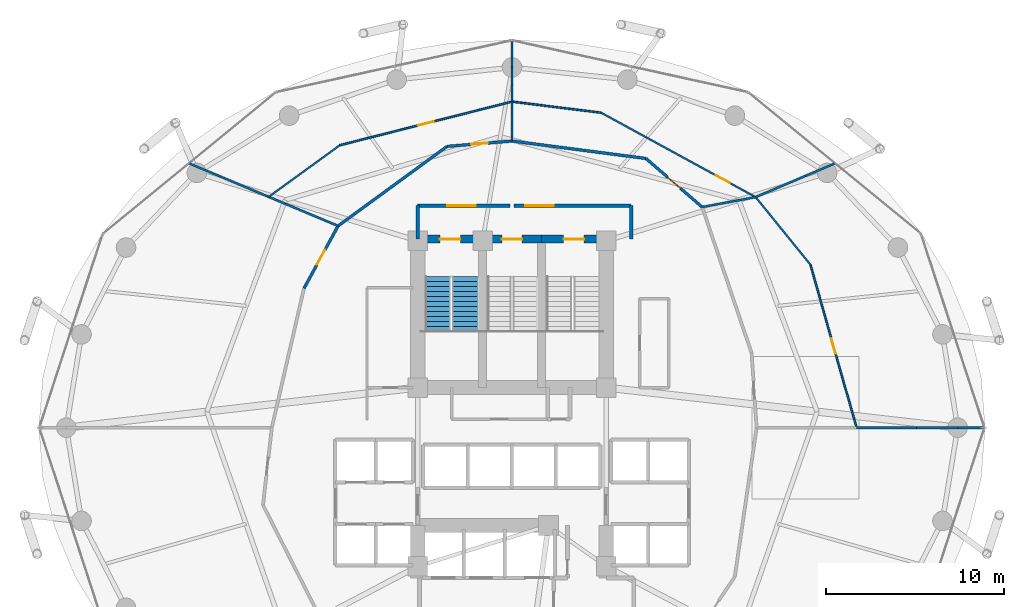
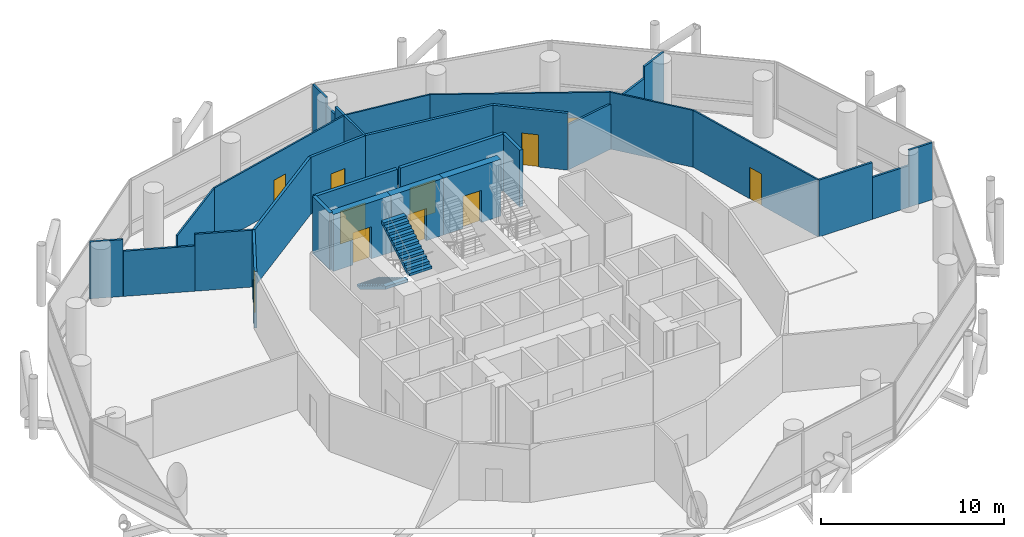
# One storey, part 23 of 26: 31 walls, 11 doors, 2 stair flights, 11 openings, 1 element without a shape of its own.
"""IFC4 building model written with IfcOpenShell, lengths in metres."""

from ifc_helpers import new_model, si_unit, direction, frame, frame_2d, origin, place, context, subcontext, project, spatial, polyline, rectangle, outline, extrude, material, layer, layer_set, type_object, element, fill, aggregate, save


model = new_model("IFC4")

# Units and contexts
model_context = context("Model", 3, precision=1e-05, world=origin(), true_north=direction((0.0, 1.0)))
body_context = subcontext(model_context, "Body", "Model", "MODEL_VIEW")
ifc_project = project(units=[si_unit("LENGTHUNIT", "METRE"), si_unit("AREAUNIT", "SQUARE_METRE"), si_unit("VOLUMEUNIT", "CUBIC_METRE"), si_unit("PLANEANGLEUNIT", "RADIAN"), si_unit("MASSUNIT", "GRAM", prefix="KILO")], contexts=[model_context])

# Site, building, storey
site_placement = place(None, origin())
site = spatial("IfcSite", under=ifc_project, at=site_placement, CompositionType="ELEMENT")
building_placement = place(site_placement, origin())
building = spatial("IfcBuilding", under=site, at=building_placement, Name="Nuhasar Tower", CompositionType="ELEMENT")
storey_placement = place(building_placement, frame((0.0, 0.0, 53.39990234375)))
storey = spatial("IfcBuildingStorey", under=building, at=storey_placement, Name="L12", CompositionType="ELEMENT", Elevation=53.39990234375)

# Wall, opening, door
ifc_material_1 = material(Name="Concrete C50/60", Category="concrete")
ifc_layer_1 = layer(ifc_material_1, 0.449951171875)
ifc_layer_set_1 = layer_set([ifc_layer_1], Name="Concrete C50/60")
wall_type_1 = type_object("IfcWallType", Name="WL-CORE-450", PredefinedType="SHEAR", material=ifc_layer_set_1)
wall_1_placement = place(storey_placement, frame((37.35009765625, 37.39990234375, 0.0), z_axis=(0.0, 0.0, 1.0), x_axis=(-1.0, 0.0, 0.0)))
wall_1 = element("IfcWall", 1, at=wall_1_placement, inside=storey, type_object=wall_type_1, Name="L12 Stairwell Shear Wall ST01-N", PredefinedType="SHEAR", context=body_context, shape_type="SweptSolid", body=[
    extrude(rectangle(XDim=3.650146484375, YDim=0.449951171875, at=frame_2d((1.8251953125, 0.0))), origin(), (0.0, 0.0, 1.0), 3.800048828125),
])
opening_1_placement = place(wall_1_placement, frame((1.25, 0.0, 0.0)))
opening_1 = element("IfcOpeningElement", 2, at=opening_1_placement, cuts=wall_1, Name="Opening DS-01", PredefinedType="OPENING", context=body_context, shape_type="SweptSolid", body=[
    extrude(rectangle(XDim=1.14990234375, YDim=2.14990234375, at=frame_2d((0.574951171875, 1.074951171875))), frame((0.0, 0.23486328125, 0.0), z_axis=(0.0, -1.0, 0.0), x_axis=(1.0, 0.0, 0.0)), (0.0, 0.0, 1.0), 0.469970703125),
])
ifc_material_2 = material(Name="Steel S355", Category="steel")
door_type_1 = type_object("IfcDoorType", Name="DR-STAIR-FD120-1150", OperationType="NOTDEFINED", PredefinedType="DOOR", material=ifc_material_2)
door_1_placement = place(opening_1_placement, origin())
door_1 = element("IfcDoor", 3, at=door_1_placement, inside=storey, type_object=door_type_1, Name="L12 Exit Stair ST-01 Door", OperationType="SINGLE_SWING_RIGHT", OverallHeight=2.14990234375, OverallWidth=1.14990234375, PredefinedType="DOOR", context=body_context, shape_type="SweptSolid", body=[
    extrude(rectangle(XDim=1.14990234375, YDim=2.14990234375, at=frame_2d((0.574951171875, 1.074951171875))), frame((0.0, 0.02490234375, 0.0), z_axis=(0.0, -1.0, 0.0), x_axis=(1.0, 0.0, 0.0)), (0.0, 0.0, 1.0), 0.050048828125),
])
fill(opening_1, door_1)

wall_2_placement = place(storey_placement, frame((40.64990234375, 37.39990234375, 0.0), z_axis=(0.0, 0.0, 1.0), x_axis=(-1.0, 0.0, 0.0)))
wall_2 = element("IfcWall", 4, at=wall_2_placement, inside=storey, type_object=wall_type_1, Name="L12 Stairwell Shear Wall ST03-N", PredefinedType="SHEAR", context=body_context, shape_type="SweptSolid", body=[
    extrude(rectangle(XDim=3.2998046875, YDim=0.449951171875, at=frame_2d((1.64990234375, 0.0))), origin(), (0.0, 0.0, 1.0), 3.800048828125),
])
opening_2_placement = place(wall_2_placement, frame((1.074951171875, 0.0, 0.0)))
opening_2 = element("IfcOpeningElement", 5, at=opening_2_placement, cuts=wall_2, Name="Opening DS-01", PredefinedType="OPENING", context=body_context, shape_type="SweptSolid", body=[
    extrude(rectangle(XDim=1.14990234375, YDim=2.14990234375, at=frame_2d((0.574951171875, 1.074951171875))), frame((0.0, 0.23486328125, 0.0), z_axis=(0.0, -1.0, 0.0), x_axis=(1.0, 0.0, 0.0)), (0.0, 0.0, 1.0), 0.469970703125),
])
door_2_placement = place(opening_2_placement, origin())
door_2 = element("IfcDoor", 6, at=door_2_placement, inside=storey, type_object=door_type_1, Name="L12 Exit Stair ST-03 Door", OperationType="SINGLE_SWING_RIGHT", OverallHeight=2.14990234375, OverallWidth=1.14990234375, PredefinedType="DOOR", context=body_context, shape_type="SweptSolid", body=[
    extrude(rectangle(XDim=1.14990234375, YDim=2.14990234375, at=frame_2d((0.574951171875, 1.074951171875))), frame((0.0, 0.02490234375, 0.0), z_axis=(0.0, -1.0, 0.0), x_axis=(1.0, 0.0, 0.0)), (0.0, 0.0, 1.0), 0.050048828125),
])
fill(opening_2, door_2)

wall_3_placement = place(storey_placement, frame((44.300048828125, 37.39990234375, 0.0), z_axis=(0.0, 0.0, 1.0), x_axis=(-1.0, 0.0, 0.0)))
wall_3 = element("IfcWall", 7, at=wall_3_placement, inside=storey, type_object=wall_type_1, Name="L12 Stairwell Shear Wall ST02-N", PredefinedType="SHEAR", context=body_context, shape_type="SweptSolid", body=[
    extrude(rectangle(XDim=3.650146484375, YDim=0.449951171875, at=frame_2d((1.8251953125, 0.0))), origin(), (0.0, 0.0, 1.0), 3.800048828125),
])
opening_3_placement = place(wall_3_placement, frame((1.25, 0.0, 0.0)))
opening_3 = element("IfcOpeningElement", 8, at=opening_3_placement, cuts=wall_3, Name="Opening DS-01", PredefinedType="OPENING", context=body_context, shape_type="SweptSolid", body=[
    extrude(rectangle(XDim=1.14990234375, YDim=2.14990234375, at=frame_2d((0.574951171875, 1.074951171875))), frame((0.0, 0.23486328125, 0.0), z_axis=(0.0, -1.0, 0.0), x_axis=(1.0, 0.0, 0.0)), (0.0, 0.0, 1.0), 0.469970703125),
])
door_3_placement = place(opening_3_placement, origin())
door_3 = element("IfcDoor", 9, at=door_3_placement, inside=storey, type_object=door_type_1, Name="L12 Exit Stair ST-02 Door", OperationType="SINGLE_SWING_LEFT", OverallHeight=2.14990234375, OverallWidth=1.14990234375, PredefinedType="DOOR", context=body_context, shape_type="SweptSolid", body=[
    extrude(rectangle(XDim=1.14990234375, YDim=2.14990234375, at=frame_2d((0.574951171875, 1.074951171875))), frame((0.0, 0.02490234375, 0.0), z_axis=(0.0, -1.0, 0.0), x_axis=(1.0, 0.0, 0.0)), (0.0, 0.0, 1.0), 0.050048828125),
])
fill(opening_3, door_3)

ifc_material_3 = material(Name="Gypsum Board", Category="gypsum")
ifc_layer_2 = layer(ifc_material_3, 0.159912109375)
ifc_layer_set_2 = layer_set([ifc_layer_2], Name="Gypsum Board")
wall_type_2 = type_object("IfcWallType", Name="WL-CORR-160", PredefinedType="PARTITIONING", material=ifc_layer_set_2)
wall_4_placement = place(storey_placement, frame((46.530029296875, 41.928955078125, 0.0), z_axis=(0.0, 0.0, 1.0), x_axis=(0.756492941082, -0.654001857867, 0.0)))
wall_4 = element("IfcWall", 10, at=wall_4_placement, inside=storey, type_object=wall_type_2, Name="L12 Interior Partition CORR-06", PredefinedType="PARTITIONING", context=body_context, shape_type="SweptSolid", body=[
    extrude(rectangle(XDim=4.17578125, YDim=0.159912109375, at=frame_2d((2.087890625, 0.0))), origin(), (0.0, 0.0, 1.0), 3.800048828125),
])
opening_4_placement = place(wall_4_placement, frame((1.613037109375, 0.0, 0.0)))
opening_4 = element("IfcOpeningElement", 11, at=opening_4_placement, cuts=wall_4, Name="Opening DO-01", PredefinedType="OPENING", context=body_context, shape_type="SweptSolid", body=[
    extrude(rectangle(XDim=0.949951171875, YDim=2.14990234375, at=frame_2d((0.47509765625, 1.074951171875))), frame((0.0, 0.08984375, 0.0), z_axis=(0.0, -1.0, 0.0), x_axis=(1.0, 0.0, 0.0)), (0.0, 0.0, 1.0), 0.179931640625),
])
ifc_material_4 = material(Name="Timber Oak", Category="wood")
door_type_2 = type_object("IfcDoorType", Name="DR-OFFICE-FD30-950", OperationType="NOTDEFINED", PredefinedType="DOOR", material=ifc_material_4)
door_4_placement = place(opening_4_placement, origin())
door_4 = element("IfcDoor", 12, at=door_4_placement, inside=storey, type_object=door_type_2, Name="L12 Legal Chambers B Entry Door", OperationType="SINGLE_SWING_LEFT", OverallHeight=2.14990234375, OverallWidth=0.949951171875, PredefinedType="DOOR", context=body_context, shape_type="SweptSolid", body=[
    extrude(rectangle(XDim=0.949951171875, YDim=2.14990234375, at=frame_2d((0.47509765625, 1.074951171875))), frame((0.0, 0.02490234375, 0.0), z_axis=(0.0, -1.0, 0.0), x_axis=(1.0, 0.0, 0.0)), (0.0, 0.0, 1.0), 0.050048828125),
])
fill(opening_4, door_4)

# Wall
wall_5_placement = place(storey_placement, frame((46.530029296875, 41.928955078125, 0.0), z_axis=(0.0, 0.0, 1.0), x_axis=(-0.99162101561, 0.129181118592, 0.0)))
element("IfcWall", 13, at=wall_5_placement, inside=storey, type_object=wall_type_2, Name="L12 Interior Partition CORR-08", PredefinedType="PARTITIONING", context=body_context, shape_type="SweptSolid", body=[
    extrude(rectangle(XDim=7.59375, YDim=0.159912109375, at=frame_2d((3.796875, 0.0))), origin(), (0.0, 0.0, 1.0), 3.800048828125),
])

# Wall, opening, door
wall_6_placement = place(storey_placement, frame((35.347900390625, 42.60791015625, 0.0), z_axis=(0.0, 0.0, 1.0), x_axis=(0.996598394666, 0.082411405455, 0.0)))
wall_6 = element("IfcWall", 14, at=wall_6_placement, inside=storey, type_object=wall_type_2, Name="L12 Interior Partition CORR-12", PredefinedType="PARTITIONING", context=body_context, shape_type="SweptSolid", body=[
    extrude(rectangle(XDim=3.66455078125, YDim=0.159912109375, at=frame_2d((1.832275390625, 0.0))), origin(), (0.0, 0.0, 1.0), 3.800048828125),
])
opening_5_placement = place(wall_6_placement, frame((1.35693359375, 0.0, 0.0)))
opening_5 = element("IfcOpeningElement", 15, at=opening_5_placement, cuts=wall_6, Name="Opening DO-01", PredefinedType="OPENING", context=body_context, shape_type="SweptSolid", body=[
    extrude(rectangle(XDim=0.949951171875, YDim=2.14990234375, at=frame_2d((0.47509765625, 1.074951171875))), frame((0.0, 0.08984375, 0.0), z_axis=(0.0, -1.0, 0.0), x_axis=(1.0, 0.0, 0.0)), (0.0, 0.0, 1.0), 0.179931640625),
])
door_5_placement = place(opening_5_placement, origin())
door_5 = element("IfcDoor", 16, at=door_5_placement, inside=storey, type_object=door_type_2, Name="L12 Arbitration Hearing Room Entry Door", OperationType="SINGLE_SWING_LEFT", OverallHeight=2.14990234375, OverallWidth=0.949951171875, PredefinedType="DOOR", context=body_context, shape_type="SweptSolid", body=[
    extrude(rectangle(XDim=0.949951171875, YDim=2.14990234375, at=frame_2d((0.47509765625, 1.074951171875))), frame((0.0, 0.02490234375, 0.0), z_axis=(0.0, -1.0, 0.0), x_axis=(1.0, 0.0, 0.0)), (0.0, 0.0, 1.0), 0.050048828125),
])
fill(opening_5, door_5)

# Wall
wall_7_placement = place(storey_placement, frame((35.347900390625, 42.60791015625, 0.0), z_axis=(0.0, 0.0, 1.0), x_axis=(-0.807666592587, -0.589639445101, 0.0)))
element("IfcWall", 17, at=wall_7_placement, inside=storey, type_object=wall_type_2, Name="L12 Interior Partition CORR-14", PredefinedType="PARTITIONING", context=body_context, shape_type="SweptSolid", body=[
    extrude(rectangle(XDim=7.580810546875, YDim=0.159912109375, at=frame_2d((3.79052734375, 0.0))), origin(), (0.0, 0.0, 1.0), 3.800048828125),
])

# Wall, opening, door
wall_8_placement = place(storey_placement, frame((27.30908203125, 34.6298828125, 0.0), z_axis=(0.0, 0.0, 1.0), x_axis=(0.479339902436, 0.877629339717, 0.0)))
wall_8 = element("IfcWall", 18, at=wall_8_placement, inside=storey, type_object=wall_type_2, Name="L12 Interior Partition CORR-18", PredefinedType="PARTITIONING", context=body_context, shape_type="SweptSolid", body=[
    extrude(rectangle(XDim=3.997314453125, YDim=0.159912109375, at=frame_2d((1.99853515625, 0.0))), origin(), (0.0, 0.0, 1.0), 3.800048828125),
])
opening_6_placement = place(wall_8_placement, frame((1.52392578125, 0.0, 0.0)))
opening_6 = element("IfcOpeningElement", 19, at=opening_6_placement, cuts=wall_8, Name="Opening DO-01", PredefinedType="OPENING", context=body_context, shape_type="SweptSolid", body=[
    extrude(rectangle(XDim=0.949951171875, YDim=2.14990234375, at=frame_2d((0.47509765625, 1.074951171875))), frame((0.0, 0.08984375, 0.0), z_axis=(0.0, -1.0, 0.0), x_axis=(1.0, 0.0, 0.0)), (0.0, 0.0, 1.0), 0.179931640625),
])
door_6_placement = place(opening_6_placement, origin())
door_6 = element("IfcDoor", 20, at=door_6_placement, inside=storey, type_object=door_type_2, Name="L12 Chambers Tea Pantry Entry Door", OperationType="SINGLE_SWING_LEFT", OverallHeight=2.14990234375, OverallWidth=0.949951171875, PredefinedType="DOOR", context=body_context, shape_type="SweptSolid", body=[
    extrude(rectangle(XDim=0.949951171875, YDim=2.14990234375, at=frame_2d((0.47509765625, 1.074951171875))), frame((0.0, 0.02490234375, 0.0), z_axis=(0.0, -1.0, 0.0), x_axis=(1.0, 0.0, 0.0)), (0.0, 0.0, 1.0), 0.050048828125),
])
fill(opening_6, door_6)

# Walls
ifc_material_5 = material(Name="Concrete C45/55", Category="concrete")
ifc_layer_3 = layer(ifc_material_5, 0.199951171875)
ifc_layer_set_3 = layer_set([ifc_layer_3], Name="Concrete C45/55")
wall_type_3 = type_object("IfcWallType", Name="WL-LOBBY-200", PredefinedType="SOLIDWALL", material=ifc_layer_set_3)
for number, where, z_axis, x_axis, name in (
    (21, (33.699951171875, 37.39990234375, 0.0), (0.0, 0.0, 1.0), (0.0, 1.0, 0.0), "L12 Interior Partition NSL-W"),
    (22, (45.699951171875, 37.39990234375, 0.0), (0.0, 0.0, 1.0), (0.0, 1.0, 0.0), "L12 Interior Partition NSL-E"),
):
    element("IfcWall", number, at=place(storey_placement, frame(where, z_axis=z_axis, x_axis=x_axis)), inside=storey, type_object=wall_type_3, Name=name, PredefinedType="SOLIDWALL", context=body_context, shape_type="SweptSolid", body=[
        extrude(rectangle(XDim=1.880126953125, YDim=0.199951171875, at=frame_2d((0.93994140625, 0.0))), origin(), (0.0, 0.0, 1.0), 3.800048828125),
    ])

# Wall, opening, door
wall_9_placement = place(storey_placement, frame((38.89990234375, 39.280029296875, 0.0), z_axis=(0.0, 0.0, 1.0), x_axis=(-1.0, 0.0, 0.0)))
wall_9 = element("IfcWall", 23, at=wall_9_placement, inside=storey, type_object=wall_type_3, Name="L12 Interior Partition NSL-N1", PredefinedType="SOLIDWALL", context=body_context, shape_type="SweptSolid", body=[
    extrude(rectangle(XDim=5.199951171875, YDim=0.199951171875, at=frame_2d((2.60009765625, 0.0))), origin(), (0.0, 0.0, 1.0), 3.800048828125),
])
opening_7_placement = place(wall_9_placement, frame((1.949951171875, 0.0, 0.0)))
opening_7 = element("IfcOpeningElement", 24, at=opening_7_placement, cuts=wall_9, Name="Opening DC-01", PredefinedType="OPENING", context=body_context, shape_type="SweptSolid", body=[
    extrude(rectangle(XDim=1.60009765625, YDim=2.199951171875, at=frame_2d((0.800048828125, 1.10009765625))), frame((0.0, 0.10986328125, 0.0), z_axis=(0.0, -1.0, 0.0), x_axis=(1.0, 0.0, 0.0)), (0.0, 0.0, 1.0), 0.219970703125),
])
door_type_3 = type_object("IfcDoorType", Name="DR-CORR-FD60-1600", OperationType="DOUBLE_DOOR_SINGLE_SWING", PredefinedType="DOOR", material=ifc_material_2)
door_7_placement = place(opening_7_placement, origin())
door_7 = element("IfcDoor", 25, at=door_7_placement, inside=storey, type_object=door_type_3, Name="L12 North Stair Lobby West Door", OperationType="DOUBLE_DOOR_SINGLE_SWING", OverallHeight=2.199951171875, OverallWidth=1.60009765625, PredefinedType="DOOR", context=body_context, shape_type="SweptSolid", body=[
    extrude(rectangle(XDim=1.60009765625, YDim=2.199951171875, at=frame_2d((0.800048828125, 1.10009765625))), frame((0.0, 0.02490234375, 0.0), z_axis=(0.0, -1.0, 0.0), x_axis=(1.0, 0.0, 0.0)), (0.0, 0.0, 1.0), 0.050048828125),
])
fill(opening_7, door_7)

wall_10_placement = place(storey_placement, frame((45.699951171875, 39.280029296875, 0.0), z_axis=(0.0, 0.0, 1.0), x_axis=(-1.0, 0.0, 0.0)))
wall_10 = element("IfcWall", 26, at=wall_10_placement, inside=storey, type_object=wall_type_3, Name="L12 Interior Partition NSL-N2", PredefinedType="SOLIDWALL", context=body_context, shape_type="SweptSolid", body=[
    extrude(rectangle(XDim=6.599853515625, YDim=0.199951171875, at=frame_2d((3.2998046875, 0.0))), origin(), (0.0, 0.0, 1.0), 3.800048828125),
])
opening_8_placement = place(wall_10_placement, frame((4.35009765625, 0.0, 0.0)))
opening_8 = element("IfcOpeningElement", 27, at=opening_8_placement, cuts=wall_10, Name="Opening DC-01", PredefinedType="OPENING", context=body_context, shape_type="SweptSolid", body=[
    extrude(rectangle(XDim=1.60009765625, YDim=2.199951171875, at=frame_2d((0.800048828125, 1.10009765625))), frame((0.0, 0.10986328125, 0.0), z_axis=(0.0, -1.0, 0.0), x_axis=(1.0, 0.0, 0.0)), (0.0, 0.0, 1.0), 0.219970703125),
])
door_8_placement = place(opening_8_placement, origin())
door_8 = element("IfcDoor", 28, at=door_8_placement, inside=storey, type_object=door_type_3, Name="L12 North Stair Lobby East Door", OperationType="DOUBLE_DOOR_SINGLE_SWING", OverallHeight=2.199951171875, OverallWidth=1.60009765625, PredefinedType="DOOR", context=body_context, shape_type="SweptSolid", body=[
    extrude(rectangle(XDim=1.60009765625, YDim=2.199951171875, at=frame_2d((0.800048828125, 1.10009765625))), frame((0.0, 0.02490234375, 0.0), z_axis=(0.0, -1.0, 0.0), x_axis=(1.0, 0.0, 0.0)), (0.0, 0.0, 1.0), 0.050048828125),
])
fill(opening_8, door_8)

ifc_material_6 = material(Name="Aluminium 6063-T6", Category="aluminium")
ifc_layer_4 = layer(ifc_material_6, 0.10009765625)
ifc_layer_set_4 = layer_set([ifc_layer_4], Name="Aluminium 6063-T6")
wall_type_4 = type_object("IfcWallType", Name="WL-MOVABLE-100", PredefinedType="MOVABLE", material=ifc_layer_set_4)
wall_11_placement = place(storey_placement, frame((55.77197265625, 35.9619140625, 0.0), z_axis=(0.0, 0.0, 1.0), x_axis=(0.272515943622, -0.962151266939, 0.0)))
wall_11 = element("IfcWall", 29, at=wall_11_placement, inside=storey, type_object=wall_type_4, Name="L12 Interior Partition OMID-01-00", PredefinedType="MOVABLE", context=body_context, shape_type="SweptSolid", body=[
    extrude(rectangle(XDim=9.522216796875, YDim=0.10009765625, at=frame_2d((4.76123046875, 0.0))), origin(), (0.0, 0.0, 1.0), 3.800048828125),
])
opening_9_placement = place(wall_11_placement, frame((4.31103515625, 0.0, 0.0)))
opening_9 = element("IfcOpeningElement", 30, at=opening_9_placement, cuts=wall_11, Name="Opening DR-01", PredefinedType="OPENING", context=body_context, shape_type="SweptSolid", body=[
    extrude(rectangle(XDim=0.89990234375, YDim=2.10009765625, at=frame_2d((0.449951171875, 1.050048828125))), frame((0.0, 0.06005859375, 0.0), z_axis=(0.0, -1.0, 0.0), x_axis=(1.0, 0.0, 0.0)), (0.0, 0.0, 1.0), 0.1201171875),
])
door_type_4 = type_object("IfcDoorType", Name="DR-ROOM-900", OperationType="NOTDEFINED", PredefinedType="DOOR", material=ifc_material_4)
door_9_placement = place(opening_9_placement, origin())
door_9 = element("IfcDoor", 31, at=door_9_placement, inside=storey, type_object=door_type_4, Name="L12 Legal Chambers A Inner Door", OperationType="SINGLE_SWING_LEFT", OverallHeight=2.10009765625, OverallWidth=0.89990234375, PredefinedType="DOOR", context=body_context, shape_type="SweptSolid", body=[
    extrude(rectangle(XDim=0.89990234375, YDim=2.10009765625, at=frame_2d((0.449951171875, 1.050048828125))), frame((0.0, 0.02490234375, 0.0), z_axis=(0.0, -1.0, 0.0), x_axis=(1.0, 0.0, 0.0)), (0.0, 0.0, 1.0), 0.050048828125),
])
fill(opening_9, door_9)

# Wall
wall_12_placement = place(storey_placement, frame((55.77197265625, 35.9619140625, 0.0), z_axis=(0.0, 0.0, 1.0), x_axis=(-0.629672409309, 0.776860770637, 0.0)))
element("IfcWall", 32, at=wall_12_placement, inside=storey, type_object=wall_type_4, Name="L12 Interior Partition OMID-01-04", PredefinedType="MOVABLE", context=body_context, shape_type="SweptSolid", body=[
    extrude(rectangle(XDim=4.886474609375, YDim=0.10009765625, at=frame_2d((2.443359375, 0.0))), origin(), (0.0, 0.0, 1.0), 3.800048828125),
])

# Wall, opening, door
wall_13_placement = place(storey_placement, frame((44.012939453125, 44.5009765625, 0.0), z_axis=(0.0, 0.0, 1.0), x_axis=(0.877588886427, -0.479413961437, 0.0)))
wall_13 = element("IfcWall", 33, at=wall_13_placement, inside=storey, type_object=wall_type_4, Name="L12 Interior Partition OMID-02-06", PredefinedType="MOVABLE", context=body_context, shape_type="SweptSolid", body=[
    extrude(rectangle(XDim=9.89306640625, YDim=0.10009765625, at=frame_2d((4.946533203125, 0.0))), origin(), (0.0, 0.0, 1.0), 3.800048828125),
])
opening_10_placement = place(wall_13_placement, frame((7.3359375, 0.0, 0.0)))
opening_10 = element("IfcOpeningElement", 34, at=opening_10_placement, cuts=wall_13, Name="Opening DR-01", PredefinedType="OPENING", context=body_context, shape_type="SweptSolid", body=[
    extrude(rectangle(XDim=0.89990234375, YDim=2.10009765625, at=frame_2d((0.449951171875, 1.050048828125))), frame((0.0, 0.06005859375, 0.0), z_axis=(0.0, -1.0, 0.0), x_axis=(1.0, 0.0, 0.0)), (0.0, 0.0, 1.0), 0.1201171875),
])
door_10_placement = place(opening_10_placement, origin())
door_10 = element("IfcDoor", 35, at=door_10_placement, inside=storey, type_object=door_type_4, Name="L12 Legal Chambers B Inner Door", OperationType="SINGLE_SWING_RIGHT", OverallHeight=2.10009765625, OverallWidth=0.89990234375, PredefinedType="DOOR", context=body_context, shape_type="SweptSolid", body=[
    extrude(rectangle(XDim=0.89990234375, YDim=2.10009765625, at=frame_2d((0.449951171875, 1.050048828125))), frame((0.0, 0.02490234375, 0.0), z_axis=(0.0, -1.0, 0.0), x_axis=(1.0, 0.0, 0.0)), (0.0, 0.0, 1.0), 0.050048828125),
])
fill(opening_10, door_10)

# Wall
wall_14_placement = place(storey_placement, frame((44.012939453125, 44.5009765625, 0.0), z_axis=(0.0, 0.0, 1.0), x_axis=(-0.992340947468, 0.123529121985, 0.0)))
element("IfcWall", 36, at=wall_14_placement, inside=storey, type_object=wall_type_4, Name="L12 Interior Partition OMID-02-10", PredefinedType="MOVABLE", context=body_context, shape_type="SweptSolid", body=[
    extrude(rectangle(XDim=5.051513671875, YDim=0.10009765625, at=frame_2d((2.52587890625, 0.0))), origin(), (0.0, 0.0, 1.0), 3.800048828125),
])

# Wall, opening, door
wall_15_placement = place(storey_placement, frame((29.31689453125, 42.669921875, 0.0), z_axis=(0.0, 0.0, 1.0), x_axis=(0.969329167934, 0.245766076162, 0.0)))
wall_15 = element("IfcWall", 37, at=wall_15_placement, inside=storey, type_object=wall_type_4, Name="L12 Interior Partition OMID-03-12", PredefinedType="MOVABLE", context=body_context, shape_type="SweptSolid", body=[
    extrude(rectangle(XDim=9.989501953125, YDim=0.10009765625, at=frame_2d((4.99462890625, 0.0))), origin(), (0.0, 0.0, 1.0), 3.800048828125),
])
opening_11_placement = place(wall_15_placement, frame((4.544921875, 0.0, 0.0)))
opening_11 = element("IfcOpeningElement", 38, at=opening_11_placement, cuts=wall_15, Name="Opening DR-01", PredefinedType="OPENING", context=body_context, shape_type="SweptSolid", body=[
    extrude(rectangle(XDim=0.89990234375, YDim=2.10009765625, at=frame_2d((0.449951171875, 1.050048828125))), frame((0.0, 0.06005859375, 0.0), z_axis=(0.0, -1.0, 0.0), x_axis=(1.0, 0.0, 0.0)), (0.0, 0.0, 1.0), 0.1201171875),
])
door_11_placement = place(opening_11_placement, origin())
door_11 = element("IfcDoor", 39, at=door_11_placement, inside=storey, type_object=door_type_4, Name="L12 Arbitration Hearing Room Inner Door", OperationType="SINGLE_SWING_LEFT", OverallHeight=2.10009765625, OverallWidth=0.89990234375, PredefinedType="DOOR", context=body_context, shape_type="SweptSolid", body=[
    extrude(rectangle(XDim=0.89990234375, YDim=2.10009765625, at=frame_2d((0.449951171875, 1.050048828125))), frame((0.0, 0.02490234375, 0.0), z_axis=(0.0, -1.0, 0.0), x_axis=(1.0, 0.0, 0.0)), (0.0, 0.0, 1.0), 0.050048828125),
])
fill(opening_11, door_11)

# Walls
wall_16_placement = place(storey_placement, frame((29.31689453125, 42.669921875, 0.0), z_axis=(0.0, 0.0, 1.0), x_axis=(-0.809304329507, -0.587389565997, 0.0)))
element("IfcWall", 40, at=wall_16_placement, inside=storey, type_object=wall_type_4, Name="L12 Interior Partition OMID-03-16", PredefinedType="MOVABLE", context=body_context, shape_type="SweptSolid", body=[
    extrude(rectangle(XDim=4.957275390625, YDim=0.10009765625, at=frame_2d((2.478515625, 0.0))), origin(), (0.0, 0.0, 1.0), 3.800048828125),
])
ifc_layer_5 = layer(ifc_material_3, 0.125)
ifc_layer_set_5 = layer_set([ifc_layer_5], Name="Gypsum Board")
wall_type_5 = type_object("IfcWallType", Name="WL-PART-125", PredefinedType="PARTITIONING", material=ifc_layer_set_5)
wall_17_placement = place(storey_placement, frame((58.366943359375, 26.800048828125, 0.0), z_axis=(0.0, 0.0, 1.0), x_axis=(1.0, 0.0, 0.0)))
element("IfcWall", 41, at=wall_17_placement, inside=storey, type_object=wall_type_5, Name="L12 Interior Partition ORAD-00-S2", PredefinedType="PARTITIONING", context=body_context, shape_type="SweptSolid", body=[
    extrude(rectangle(XDim=3.363037109375, YDim=0.125, at=frame_2d((1.681640625, 0.0))), origin(), (0.0, 0.0, 1.0), 3.800048828125),
])
wall_18_placement = place(storey_placement, frame((61.72998046875, 26.800048828125, 0.0), z_axis=(0.0, 0.0, 1.0), x_axis=(1.0, 0.0, 0.0)))
element("IfcWall", 42, at=wall_18_placement, inside=storey, type_object=wall_type_5, Name="L12 Interior Partition ORAD-00-S2", PredefinedType="PARTITIONING", context=body_context, shape_type="SweptSolid", body=[
    extrude(rectangle(XDim=2.326904296875, YDim=0.125, at=frame_2d((1.16357421875, 0.0))), origin(), (0.0, 0.0, 1.0), 2.7900390625),
])
wall_19_placement = place(storey_placement, frame((64.056884765625, 26.800048828125, 0.0), z_axis=(0.0, 0.0, 1.0), x_axis=(1.0, 0.0, 0.0)))
element("IfcWall", 43, at=wall_19_placement, inside=storey, type_object=wall_type_5, Name="L12 Interior Partition ORAD-00-S2", PredefinedType="PARTITIONING", context=body_context, shape_type="SweptSolid", body=[
    extrude(rectangle(XDim=1.468017578125, YDim=0.125, at=frame_2d((0.73388671875, 0.0))), origin(), (0.0, 0.0, 1.0), 3.800048828125),
])
wall_20_placement = place(storey_placement, frame((49.68896484375, 39.197998046875, 0.0), z_axis=(0.0, 0.0, 1.0), x_axis=(0.983083941647, 0.183155572333, 0.0)))
element("IfcWall", 44, at=wall_20_placement, inside=storey, type_object=wall_type_5, Name="L12 Interior Partition ORAD-06-S1", PredefinedType="PARTITIONING", context=body_context, shape_type="SweptSolid", body=[
    extrude(rectangle(XDim=3.057861328125, YDim=0.125, at=frame_2d((1.52880859375, 0.0))), origin(), (0.0, 0.0, 1.0), 3.02001953125),
])
wall_21_placement = place(storey_placement, frame((52.695068359375, 39.758056640625, 0.0), z_axis=(0.0, 0.0, 1.0), x_axis=(0.92022473881, 0.391390380671, 0.0)))
element("IfcWall", 45, at=wall_21_placement, inside=storey, type_object=wall_type_5, Name="L12 Interior Partition ORAD-06-S2", PredefinedType="PARTITIONING", context=body_context, shape_type="SweptSolid", body=[
    extrude(rectangle(XDim=3.042724609375, YDim=0.125, at=frame_2d((1.521484375, 0.0))), origin(), (0.0, 0.0, 1.0), 3.02001953125),
])
wall_22_placement = place(storey_placement, frame((55.4951171875, 40.948974609375, 0.0), z_axis=(0.0, 0.0, 1.0), x_axis=(0.920394497478, 0.390991008864, 0.0)))
element("IfcWall", 46, at=wall_22_placement, inside=storey, type_object=wall_type_5, Name="L12 Interior Partition ORAD-06-S2", PredefinedType="PARTITIONING", context=body_context, shape_type="SweptSolid", body=[
    extrude(rectangle(XDim=1.76220703125, YDim=0.125, at=frame_2d((0.881103515625, 0.0))), origin(), (0.0, 0.0, 1.0), 3.800048828125),
])
wall_23_placement = place(storey_placement, frame((39.0, 42.909912109375, 0.0), z_axis=(0.0, 0.0, 1.0), x_axis=(0.0, 1.0, 0.0)))
element("IfcWall", 47, at=wall_23_placement, inside=storey, type_object=wall_type_5, Name="L12 Interior Partition ORAD-12-S1", PredefinedType="PARTITIONING", context=body_context, shape_type="SweptSolid", body=[
    extrude(rectangle(XDim=2.215087890625, YDim=0.125, at=frame_2d((1.107421875, 0.0))), origin(), (0.0, 0.0, 1.0), 3.800048828125),
])
wall_24_placement = place(storey_placement, frame((39.0, 45.125, 0.0), z_axis=(0.0, 0.0, 1.0), x_axis=(0.0, 1.0, 0.0)))
element("IfcWall", 48, at=wall_24_placement, inside=storey, type_object=wall_type_5, Name="L12 Interior Partition ORAD-12-S2", PredefinedType="PARTITIONING", context=body_context, shape_type="SweptSolid", body=[
    extrude(rectangle(XDim=0.928955078125, YDim=0.125, at=frame_2d((0.46435546875, 0.0))), origin(), (0.0, 0.0, 1.0), 3.800048828125),
])
wall_25_placement = place(storey_placement, frame((39.0, 46.053955078125, 0.0), z_axis=(0.0, 0.0, 1.0), x_axis=(0.0, 1.0, 0.0)))
element("IfcWall", 49, at=wall_25_placement, inside=storey, type_object=wall_type_5, Name="L12 Interior Partition ORAD-12-S2", PredefinedType="PARTITIONING", context=body_context, shape_type="SweptSolid", body=[
    extrude(rectangle(XDim=1.007080078125, YDim=0.125, at=frame_2d((0.50341796875, 0.0))), origin(), (0.0, 0.0, 1.0), 3.26513671875),
])
wall_26_placement = place(storey_placement, frame((39.0, 47.06103515625, 0.0), z_axis=(0.0, 0.0, 1.0), x_axis=(0.0, 1.0, 0.0)))
element("IfcWall", 50, at=wall_26_placement, inside=storey, type_object=wall_type_5, Name="L12 Interior Partition ORAD-12-S2", PredefinedType="PARTITIONING", context=body_context, shape_type="SweptSolid", body=[
    extrude(rectangle(XDim=1.4638671875, YDim=0.125, at=frame_2d((0.73193359375, 0.0))), origin(), (0.0, 0.0, 1.0), 3.800048828125),
])
wall_27_placement = place(storey_placement, frame((29.22509765625, 38.137939453125, 0.0), z_axis=(0.0, 0.0, 1.0), x_axis=(-0.92216319385, 0.386801039177, 0.0)))
element("IfcWall", 51, at=wall_27_placement, inside=storey, type_object=wall_type_5, Name="L12 Interior Partition ORAD-18", PredefinedType="PARTITIONING", context=body_context, shape_type="SweptSolid", body=[
    extrude(rectangle(XDim=3.242431640625, YDim=0.125, at=frame_2d((1.62109375, 0.0))), origin(), (0.0, 0.0, 1.0), 3.800048828125),
])
wall_28_placement = place(storey_placement, frame((26.235107421875, 39.39208984375, 0.0), z_axis=(0.0, 0.0, 1.0), x_axis=(-0.922079399294, 0.387000751159, 0.0)))
element("IfcWall", 52, at=wall_28_placement, inside=storey, type_object=wall_type_5, Name="L12 Interior Partition ORAD-18", PredefinedType="PARTITIONING", context=body_context, shape_type="SweptSolid", body=[
    extrude(rectangle(XDim=3.95849609375, YDim=0.125, at=frame_2d((1.979248046875, 0.0))), origin(), (0.0, 0.0, 1.0), 3.02001953125),
])
wall_29_placement = place(storey_placement, frame((22.5849609375, 40.924072265625, 0.0), z_axis=(0.0, 0.0, 1.0), x_axis=(-0.922162419432, 0.386802885443, 0.0)))
element("IfcWall", 53, at=wall_29_placement, inside=storey, type_object=wall_type_5, Name="L12 Interior Partition ORAD-18", PredefinedType="PARTITIONING", context=body_context, shape_type="SweptSolid", body=[
    extrude(rectangle(XDim=1.845458984375, YDim=0.125, at=frame_2d((0.9228515625, 0.0))), origin(), (0.0, 0.0, 1.0), 3.800048828125),
])

# Stair, stair flights
stair_type = type_object("IfcStairType", Name="STR-ST-01-2F-24R-1688", PredefinedType="HALF_TURN_STAIR", material=ifc_material_5)
stair_placement = place(storey_placement, origin())
stair = element("IfcStair", 54, at=stair_placement, inside=storey, type_object=stair_type, Name="L12 Exit Stair ST-01", PredefinedType="HALF_TURN_STAIR")
stair_flight_type = type_object("IfcStairFlightType", Name="SFL-ST-01-12R-1688", PredefinedType="STRAIGHT", material=ifc_material_5)
stair_flight_1_placement = place(storey_placement, frame((34.830078125, 35.284912109375, 0.0), z_axis=(0.0, 0.0, 1.0), x_axis=(0.0, -1.0, 0.0)))
stair_flight_1 = element("IfcStairFlight", 55, at=stair_flight_1_placement, type_object=stair_flight_type, Name="ST-01 flight 1", NumberOfRisers=12, NumberOfTreads=11, PredefinedType="STRAIGHT", RiserHeight=0.16875, TreadLength=0.28, context=body_context, shape_type="SweptSolid", body=[
    extrude(outline(polyline([(0.0, 0.0), (0.0, 0.168701171875), (0.280029296875, 0.168701171875), (0.280029296875, 0.33740234375), (0.56005859375, 0.33740234375), (0.56005859375, 0.50634765625), (0.840087890625, 0.50634765625), (0.840087890625, 0.675048828125), (1.1201171875, 0.675048828125), (1.1201171875, 0.84375), (1.39990234375, 0.84375), (1.39990234375, 1.012451171875), (1.679931640625, 1.012451171875), (1.679931640625, 1.18115234375), (1.9599609375, 1.18115234375), (1.9599609375, 1.35009765625), (2.239990234375, 1.35009765625), (2.239990234375, 1.518798828125), (2.52001953125, 1.518798828125), (2.52001953125, 1.6875), (2.800048828125, 1.6875), (2.800048828125, 1.856201171875), (3.080078125, 1.856201171875), (3.080078125, 2.02490234375), (3.080078125, 1.66943359375), (0.309814453125, 0.0), (0.0, 0.0)])), frame((0.0, 0.7099609375, 0.0), z_axis=(0.0, -1.0, 0.0), x_axis=(1.0, 0.0, 0.0)), (0.0, 0.0, 1.0), 1.419921875),
])
stair_flight_2_placement = place(storey_placement, frame((36.35009765625, 32.205078125, 2.025146484375), z_axis=(0.0, 0.0, 1.0), x_axis=(0.0, 1.0, 0.0)))
stair_flight_2 = element("IfcStairFlight", 56, at=stair_flight_2_placement, type_object=stair_flight_type, Name="ST-01 flight 2", NumberOfRisers=12, NumberOfTreads=11, PredefinedType="STRAIGHT", RiserHeight=0.16875, TreadLength=0.28, context=body_context, shape_type="SweptSolid", body=[
    extrude(outline(polyline([(0.0, 0.0), (0.0, 0.168701171875), (0.280029296875, 0.168701171875), (0.280029296875, 0.33740234375), (0.56005859375, 0.33740234375), (0.56005859375, 0.50634765625), (0.840087890625, 0.50634765625), (0.840087890625, 0.675048828125), (1.1201171875, 0.675048828125), (1.1201171875, 0.84375), (1.39990234375, 0.84375), (1.39990234375, 1.012451171875), (1.679931640625, 1.012451171875), (1.679931640625, 1.18115234375), (1.9599609375, 1.18115234375), (1.9599609375, 1.35009765625), (2.239990234375, 1.35009765625), (2.239990234375, 1.518798828125), (2.52001953125, 1.518798828125), (2.52001953125, 1.6875), (2.800048828125, 1.6875), (2.800048828125, 1.856201171875), (3.080078125, 1.856201171875), (3.080078125, 2.02490234375), (3.080078125, 1.66943359375), (0.309814453125, 0.0), (0.0, 0.0)])), frame((0.0, 0.7099609375, 0.0), z_axis=(0.0, -1.0, 0.0), x_axis=(1.0, 0.0, 0.0)), (0.0, 0.0, 1.0), 1.419921875),
])
aggregate(stair, [stair_flight_1, stair_flight_2])

save(model, "model.ifc")
